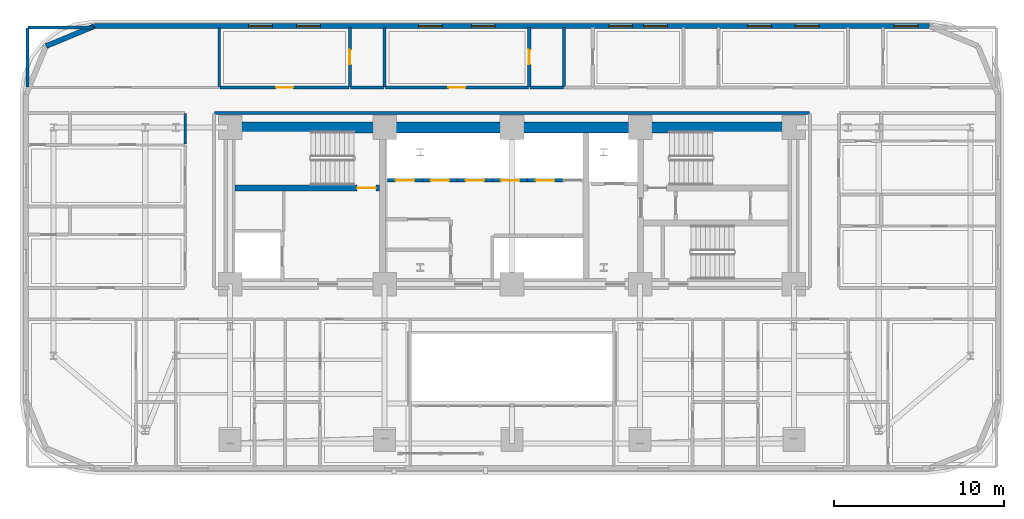
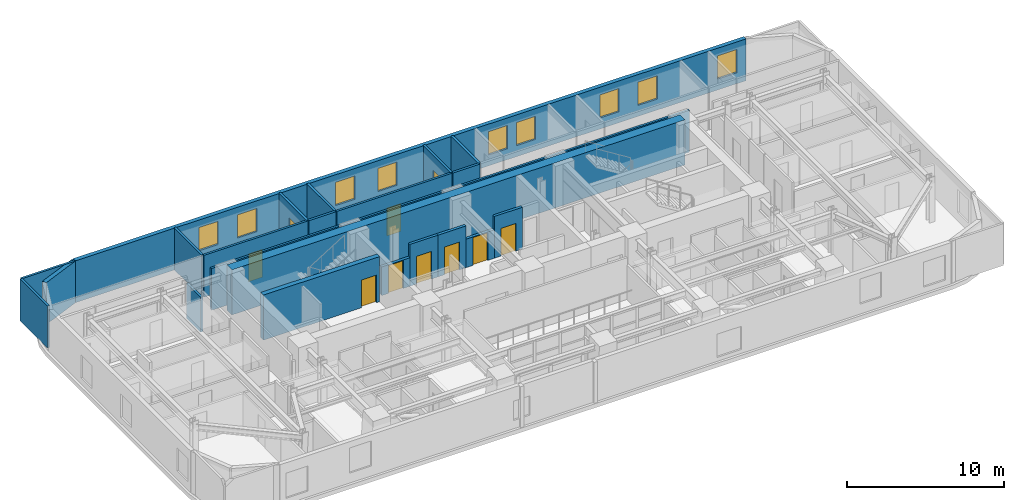
# One storey, part 10 of 16: 22 walls, 10 doors, 9 windows, 19 openings.
"""IFC4 building model written with IfcOpenShell, lengths in metres."""

from ifc_helpers import new_model, si_unit, direction, frame, frame_2d, origin, place, context, subcontext, project, spatial, rectangle, extrude, material, layer, layer_set, type_object, element, fill, save


model = new_model("IFC4")

# Units and contexts
model_context = context("Model", 3, precision=1e-05, world=origin(), true_north=direction((0.0, 1.0)))
body_context = subcontext(model_context, "Body", "Model", "MODEL_VIEW")
ifc_project = project(units=[si_unit("LENGTHUNIT", "METRE"), si_unit("AREAUNIT", "SQUARE_METRE"), si_unit("VOLUMEUNIT", "CUBIC_METRE"), si_unit("PLANEANGLEUNIT", "RADIAN"), si_unit("MASSUNIT", "GRAM", prefix="KILO")], contexts=[model_context])

# Site, building, storey
site_placement = place(None, origin())
site = spatial("IfcSite", under=ifc_project, at=site_placement, CompositionType="ELEMENT")
building_placement = place(site_placement, origin())
building = spatial("IfcBuilding", under=site, at=building_placement, Name="Zarnavel Station Tower", CompositionType="ELEMENT")
storey_placement = place(building_placement, frame((0.0, 0.0, 82.800048828125)))
storey = spatial("IfcBuildingStorey", under=building, at=storey_placement, Name="L22", CompositionType="ELEMENT", Elevation=82.800048828125)

# Wall, opening, door
ifc_material_1 = material(Name="Concrete C50/60", Category="concrete")
ifc_layer_1 = layer(ifc_material_1, 0.35009765625)
ifc_layer_set_1 = layer_set([ifc_layer_1], Name="CW_350")
wall_type_1 = type_object("IfcWallType", Name="CW_350", PredefinedType="SHEAR", material=ifc_layer_set_1)
wall_1_placement = place(storey_placement, frame((21.0048828125, 33.47998046875, 0.0), z_axis=(0.0, 0.0, 1.0), x_axis=(-1.0, 0.0, 0.0)))
wall_1 = element("IfcWall", 1, at=wall_1_placement, inside=storey, type_object=wall_type_1, Name="L22 Rear Core Shear Wall DIV-H1", PredefinedType="SHEAR", context=body_context, shape_type="SweptSolid", body=[
    extrude(rectangle(XDim=8.52978515625, YDim=0.35009765625, at=frame_2d((4.264892578125, 0.0))), origin(), (0.0, 0.0, 1.0), 3.5),
])
opening_1_placement = place(wall_1_placement, frame((0.219970703125, 0.0, 0.0)))
opening_1 = element("IfcOpeningElement", 2, at=opening_1_placement, cuts=wall_1, Name="Opening FD01", PredefinedType="OPENING", context=body_context, shape_type="SweptSolid", body=[
    extrude(rectangle(XDim=1.10009765625, YDim=2.14990234375, at=frame_2d((0.550048828125, 1.074951171875))), frame((0.0, 0.18505859375, 0.0), z_axis=(0.0, -1.0, 0.0), x_axis=(1.0, 0.0, 0.0)), (0.0, 0.0, 1.0), 0.3701171875),
])
ifc_material_2 = material(Name="Painted Galvanised Steel and Hardwood Leaf", Category="steel")
door_type_1 = type_object("IfcDoorType", Name="ID_STAIR_1100", OperationType="NOTDEFINED", PredefinedType="DOOR", material=ifc_material_2)
door_1_placement = place(opening_1_placement, origin())
door_1 = element("IfcDoor", 3, at=door_1_placement, inside=storey, type_object=door_type_1, Name="L22 Stair ST1 Lobby Fire Door", OperationType="SINGLE_SWING_LEFT", OverallHeight=2.14990234375, OverallWidth=1.10009765625, PredefinedType="DOOR", context=body_context, shape_type="SweptSolid", body=[
    extrude(rectangle(XDim=1.10009765625, YDim=2.14990234375, at=frame_2d((0.550048828125, 1.074951171875))), frame((0.0, 0.02490234375, 0.0), z_axis=(0.0, -1.0, 0.0), x_axis=(1.0, 0.0, 0.0)), (0.0, 0.0, 1.0), 0.050048828125),
])
fill(opening_1, door_1)

# Wall
ifc_material_3 = material(Name="Concrete C60/75", Category="concrete")
ifc_layer_2 = layer(ifc_material_3, 0.64990234375)
ifc_layer_set_2 = layer_set([ifc_layer_2], Name="CW_650")
wall_type_2 = type_object("IfcWallType", Name="CW_650", PredefinedType="SHEAR", material=ifc_layer_set_2)
wall_2_placement = place(storey_placement, frame((12.14990234375, 37.050048828125, 0.0), z_axis=(0.0, 0.0, 1.0), x_axis=(1.0, 0.0, 0.0)))
element("IfcWall", 4, at=wall_2_placement, inside=storey, type_object=wall_type_2, Name="L22 Rear Core Shear Wall N", PredefinedType="SHEAR", context=body_context, shape_type="SweptSolid", body=[
    extrude(rectangle(XDim=33.22998046875, YDim=0.64990234375, at=frame_2d((16.614990234375, 0.0))), origin(), (0.0, 0.0, 1.0), 3.5),
])

# Wall, openings, windows
ifc_material_4 = material(Name="Precast concrete C45/55 (Dark Basalt Finish)", Category="masonry")
ifc_layer_3 = layer(ifc_material_4, 0.300048828125)
ifc_layer_set_3 = layer_set([ifc_layer_3], Name="EW_BASALT_300")
wall_type_3 = type_object("IfcWallType", Name="EW_BASALT_300", PredefinedType="SOLIDWALL", material=ifc_layer_set_3)
wall_3_placement = place(storey_placement, frame((4.199951171875, 43.02001953125, 0.0), z_axis=(0.0, 0.0, 1.0), x_axis=(1.0, 0.0, 0.0)))
wall_3 = element("IfcWall", 5, at=wall_3_placement, inside=storey, type_object=wall_type_3, Name="L22 Exterior Basalt Masonry Frame Wall 06", PredefinedType="SOLIDWALL", context=body_context, shape_type="SweptSolid", body=[
    extrude(rectangle(XDim=49.199951171875, YDim=0.300048828125, at=frame_2d((24.60009765625, 0.0))), origin(), (0.0, 0.0, 1.0), 3.239990234375),
])
opening_2_placement = place(wall_3_placement, frame((9.090087890625, 0.0, 0.85009765625)))
opening_2 = element("IfcOpeningElement", 6, at=opening_2_placement, cuts=wall_3, Name="Opening WN01", PredefinedType="OPENING", context=body_context, shape_type="SweptSolid", body=[
    extrude(rectangle(XDim=1.39990234375, YDim=1.800048828125, at=frame_2d((0.699951171875, 0.89990234375))), frame((0.0, 0.159912109375, 0.0), z_axis=(0.0, -1.0, 0.0), x_axis=(1.0, 0.0, 0.0)), (0.0, 0.0, 1.0), 0.320068359375),
])
opening_3_placement = place(wall_3_placement, frame((11.919921875, 0.0, 0.85009765625)))
opening_3 = element("IfcOpeningElement", 7, at=opening_3_placement, cuts=wall_3, Name="Opening WN01", PredefinedType="OPENING", context=body_context, shape_type="SweptSolid", body=[
    extrude(rectangle(XDim=1.39990234375, YDim=1.800048828125, at=frame_2d((0.699951171875, 0.89990234375))), frame((0.0, 0.159912109375, 0.0), z_axis=(0.0, -1.0, 0.0), x_axis=(1.0, 0.0, 0.0)), (0.0, 0.0, 1.0), 0.320068359375),
])
opening_4_placement = place(wall_3_placement, frame((19.10498046875, 0.0, 0.85009765625)))
opening_4 = element("IfcOpeningElement", 8, at=opening_4_placement, cuts=wall_3, Name="Opening WN01", PredefinedType="OPENING", context=body_context, shape_type="SweptSolid", body=[
    extrude(rectangle(XDim=1.39990234375, YDim=1.800048828125, at=frame_2d((0.699951171875, 0.89990234375))), frame((0.0, 0.159912109375, 0.0), z_axis=(0.0, -1.0, 0.0), x_axis=(1.0, 0.0, 0.0)), (0.0, 0.0, 1.0), 0.320068359375),
])
opening_5_placement = place(wall_3_placement, frame((22.2099609375, 0.0, 0.85009765625)))
opening_5 = element("IfcOpeningElement", 9, at=opening_5_placement, cuts=wall_3, Name="Opening WN01", PredefinedType="OPENING", context=body_context, shape_type="SweptSolid", body=[
    extrude(rectangle(XDim=1.39990234375, YDim=1.800048828125, at=frame_2d((0.699951171875, 0.89990234375))), frame((0.0, 0.159912109375, 0.0), z_axis=(0.0, -1.0, 0.0), x_axis=(1.0, 0.0, 0.0)), (0.0, 0.0, 1.0), 0.320068359375),
])
opening_6_placement = place(wall_3_placement, frame((30.305908203125, 0.0, 0.85009765625)))
opening_6 = element("IfcOpeningElement", 10, at=opening_6_placement, cuts=wall_3, Name="Opening WN01", PredefinedType="OPENING", context=body_context, shape_type="SweptSolid", body=[
    extrude(rectangle(XDim=1.39990234375, YDim=1.800048828125, at=frame_2d((0.699951171875, 0.89990234375))), frame((0.0, 0.159912109375, 0.0), z_axis=(0.0, -1.0, 0.0), x_axis=(1.0, 0.0, 0.0)), (0.0, 0.0, 1.0), 0.320068359375),
])
opening_7_placement = place(wall_3_placement, frame((32.35693359375, 0.0, 0.85009765625)))
opening_7 = element("IfcOpeningElement", 11, at=opening_7_placement, cuts=wall_3, Name="Opening WN01", PredefinedType="OPENING", context=body_context, shape_type="SweptSolid", body=[
    extrude(rectangle(XDim=1.39990234375, YDim=1.800048828125, at=frame_2d((0.699951171875, 0.89990234375))), frame((0.0, 0.159912109375, 0.0), z_axis=(0.0, -1.0, 0.0), x_axis=(1.0, 0.0, 0.0)), (0.0, 0.0, 1.0), 0.320068359375),
])
opening_8_placement = place(wall_3_placement, frame((38.471923828125, 0.0, 0.85009765625)))
opening_8 = element("IfcOpeningElement", 12, at=opening_8_placement, cuts=wall_3, Name="Opening WN01", PredefinedType="OPENING", context=body_context, shape_type="SweptSolid", body=[
    extrude(rectangle(XDim=1.39990234375, YDim=1.800048828125, at=frame_2d((0.699951171875, 0.89990234375))), frame((0.0, 0.159912109375, 0.0), z_axis=(0.0, -1.0, 0.0), x_axis=(1.0, 0.0, 0.0)), (0.0, 0.0, 1.0), 0.320068359375),
])
opening_9_placement = place(wall_3_placement, frame((41.285888671875, 0.0, 0.85009765625)))
opening_9 = element("IfcOpeningElement", 13, at=opening_9_placement, cuts=wall_3, Name="Opening WN01", PredefinedType="OPENING", context=body_context, shape_type="SweptSolid", body=[
    extrude(rectangle(XDim=1.39990234375, YDim=1.800048828125, at=frame_2d((0.699951171875, 0.89990234375))), frame((0.0, 0.159912109375, 0.0), z_axis=(0.0, -1.0, 0.0), x_axis=(1.0, 0.0, 0.0)), (0.0, 0.0, 1.0), 0.320068359375),
])
opening_10_placement = place(wall_3_placement, frame((47.114990234375, 0.0, 0.85009765625)))
opening_10 = element("IfcOpeningElement", 14, at=opening_10_placement, cuts=wall_3, Name="Opening WN01", PredefinedType="OPENING", context=body_context, shape_type="SweptSolid", body=[
    extrude(rectangle(XDim=1.39990234375, YDim=1.800048828125, at=frame_2d((0.699951171875, 0.89990234375))), frame((0.0, 0.159912109375, 0.0), z_axis=(0.0, -1.0, 0.0), x_axis=(1.0, 0.0, 0.0)), (0.0, 0.0, 1.0), 0.320068359375),
])
ifc_material_5 = material(Name="Thermally Broken Black Aluminium and Low-E Dark Glass", Category="aluminium")
window_type = type_object("IfcWindowType", Name="WN_1400x1800", PartitioningType="DOUBLE_PANEL_VERTICAL", PredefinedType="WINDOW", material=ifc_material_5)
window_1_placement = place(opening_2_placement, origin())
window_1 = element("IfcWindow", 15, at=window_1_placement, inside=storey, type_object=window_type, Name="L22 Recessed Facade Window 01", OverallHeight=1.800048828125, OverallWidth=1.39990234375, PartitioningType="SINGLE_PANEL", PredefinedType="WINDOW", context=body_context, shape_type="SweptSolid", body=[
    extrude(rectangle(XDim=1.39990234375, YDim=1.800048828125, at=frame_2d((0.699951171875, 0.89990234375))), frame((0.0, 0.030029296875, 0.0), z_axis=(0.0, -1.0, 0.0), x_axis=(1.0, 0.0, 0.0)), (0.0, 0.0, 1.0), 0.06005859375),
])
fill(opening_2, window_1)
window_2_placement = place(opening_3_placement, origin())
window_2 = element("IfcWindow", 16, at=window_2_placement, inside=storey, type_object=window_type, Name="L22 Recessed Facade Window 02", OverallHeight=1.800048828125, OverallWidth=1.39990234375, PartitioningType="SINGLE_PANEL", PredefinedType="WINDOW", context=body_context, shape_type="SweptSolid", body=[
    extrude(rectangle(XDim=1.39990234375, YDim=1.800048828125, at=frame_2d((0.699951171875, 0.89990234375))), frame((0.0, 0.030029296875, 0.0), z_axis=(0.0, -1.0, 0.0), x_axis=(1.0, 0.0, 0.0)), (0.0, 0.0, 1.0), 0.06005859375),
])
fill(opening_3, window_2)
window_3_placement = place(opening_4_placement, origin())
window_3 = element("IfcWindow", 17, at=window_3_placement, inside=storey, type_object=window_type, Name="L22 Recessed Facade Window 03", OverallHeight=1.800048828125, OverallWidth=1.39990234375, PartitioningType="SINGLE_PANEL", PredefinedType="WINDOW", context=body_context, shape_type="SweptSolid", body=[
    extrude(rectangle(XDim=1.39990234375, YDim=1.800048828125, at=frame_2d((0.699951171875, 0.89990234375))), frame((0.0, 0.030029296875, 0.0), z_axis=(0.0, -1.0, 0.0), x_axis=(1.0, 0.0, 0.0)), (0.0, 0.0, 1.0), 0.06005859375),
])
fill(opening_4, window_3)
window_4_placement = place(opening_5_placement, origin())
window_4 = element("IfcWindow", 18, at=window_4_placement, inside=storey, type_object=window_type, Name="L22 Recessed Facade Window 04", OverallHeight=1.800048828125, OverallWidth=1.39990234375, PartitioningType="SINGLE_PANEL", PredefinedType="WINDOW", context=body_context, shape_type="SweptSolid", body=[
    extrude(rectangle(XDim=1.39990234375, YDim=1.800048828125, at=frame_2d((0.699951171875, 0.89990234375))), frame((0.0, 0.030029296875, 0.0), z_axis=(0.0, -1.0, 0.0), x_axis=(1.0, 0.0, 0.0)), (0.0, 0.0, 1.0), 0.06005859375),
])
fill(opening_5, window_4)
window_5_placement = place(opening_6_placement, origin())
window_5 = element("IfcWindow", 19, at=window_5_placement, inside=storey, type_object=window_type, Name="L22 Recessed Facade Window 05", OverallHeight=1.800048828125, OverallWidth=1.39990234375, PartitioningType="SINGLE_PANEL", PredefinedType="WINDOW", context=body_context, shape_type="SweptSolid", body=[
    extrude(rectangle(XDim=1.39990234375, YDim=1.800048828125, at=frame_2d((0.699951171875, 0.89990234375))), frame((0.0, 0.030029296875, 0.0), z_axis=(0.0, -1.0, 0.0), x_axis=(1.0, 0.0, 0.0)), (0.0, 0.0, 1.0), 0.06005859375),
])
fill(opening_6, window_5)
window_6_placement = place(opening_7_placement, origin())
window_6 = element("IfcWindow", 20, at=window_6_placement, inside=storey, type_object=window_type, Name="L22 Recessed Facade Window 06", OverallHeight=1.800048828125, OverallWidth=1.39990234375, PartitioningType="SINGLE_PANEL", PredefinedType="WINDOW", context=body_context, shape_type="SweptSolid", body=[
    extrude(rectangle(XDim=1.39990234375, YDim=1.800048828125, at=frame_2d((0.699951171875, 0.89990234375))), frame((0.0, 0.030029296875, 0.0), z_axis=(0.0, -1.0, 0.0), x_axis=(1.0, 0.0, 0.0)), (0.0, 0.0, 1.0), 0.06005859375),
])
fill(opening_7, window_6)
window_7_placement = place(opening_8_placement, origin())
window_7 = element("IfcWindow", 21, at=window_7_placement, inside=storey, type_object=window_type, Name="L22 Recessed Facade Window 07", OverallHeight=1.800048828125, OverallWidth=1.39990234375, PartitioningType="SINGLE_PANEL", PredefinedType="WINDOW", context=body_context, shape_type="SweptSolid", body=[
    extrude(rectangle(XDim=1.39990234375, YDim=1.800048828125, at=frame_2d((0.699951171875, 0.89990234375))), frame((0.0, 0.030029296875, 0.0), z_axis=(0.0, -1.0, 0.0), x_axis=(1.0, 0.0, 0.0)), (0.0, 0.0, 1.0), 0.06005859375),
])
fill(opening_8, window_7)
window_8_placement = place(opening_9_placement, origin())
window_8 = element("IfcWindow", 22, at=window_8_placement, inside=storey, type_object=window_type, Name="L22 Recessed Facade Window 08", OverallHeight=1.800048828125, OverallWidth=1.39990234375, PartitioningType="SINGLE_PANEL", PredefinedType="WINDOW", context=body_context, shape_type="SweptSolid", body=[
    extrude(rectangle(XDim=1.39990234375, YDim=1.800048828125, at=frame_2d((0.699951171875, 0.89990234375))), frame((0.0, 0.030029296875, 0.0), z_axis=(0.0, -1.0, 0.0), x_axis=(1.0, 0.0, 0.0)), (0.0, 0.0, 1.0), 0.06005859375),
])
fill(opening_9, window_8)
window_9_placement = place(opening_10_placement, origin())
window_9 = element("IfcWindow", 23, at=window_9_placement, inside=storey, type_object=window_type, Name="L22 Recessed Facade Window 09", OverallHeight=1.800048828125, OverallWidth=1.39990234375, PartitioningType="SINGLE_PANEL", PredefinedType="WINDOW", context=body_context, shape_type="SweptSolid", body=[
    extrude(rectangle(XDim=1.39990234375, YDim=1.800048828125, at=frame_2d((0.699951171875, 0.89990234375))), frame((0.0, 0.030029296875, 0.0), z_axis=(0.0, -1.0, 0.0), x_axis=(1.0, 0.0, 0.0)), (0.0, 0.0, 1.0), 0.06005859375),
])
fill(opening_10, window_9)

# Walls
wall_4_placement = place(storey_placement, frame((1.357421875, 41.842529296875, 0.0), z_axis=(0.0, 0.0, 1.0), x_axis=(0.923870793506, 0.382704529509, 0.0)))
element("IfcWall", 24, at=wall_4_placement, inside=storey, type_object=wall_type_3, Name="L22 Exterior Basalt Masonry Frame Wall 07", PredefinedType="SOLIDWALL", context=body_context, shape_type="SweptSolid", body=[
    extrude(rectangle(XDim=3.07666015625, YDim=0.300048828125, at=frame_2d((1.538330078125, 0.0))), origin(), (0.0, 0.0, 1.0), 3.239990234375),
])
ifc_material_6 = material(Name="Gypsum Twin-Stud Acoustic Fire Partition", Category="concrete")
ifc_layer_4 = layer(ifc_material_6, 0.159912109375)
ifc_layer_set_4 = layer_set([ifc_layer_4], Name="PT_DEMISE_160")
wall_type_4 = type_object("IfcWallType", Name="PT_DEMISE_160", PredefinedType="PARTITIONING", material=ifc_layer_set_4)
wall_5_placement = place(storey_placement, frame((9.550048828125, 36.06689453125, 0.0), z_axis=(0.0, 0.0, 1.0), x_axis=(0.0, 1.0, 0.0)))
element("IfcWall", 25, at=wall_5_placement, inside=storey, type_object=wall_type_4, Name="L22 Partition COR-W-FNW2S", PredefinedType="PARTITIONING", context=body_context, shape_type="SweptSolid", body=[
    extrude(rectangle(XDim=1.793212890625, YDim=0.159912109375, at=frame_2d((0.896484375, 0.0))), origin(), (0.0, 0.0, 1.0), 2.719970703125),
])

# Wall, opening, door
wall_6_placement = place(storey_placement, frame((11.60009765625, 39.39990234375, 0.0), z_axis=(0.0, 0.0, 1.0), x_axis=(1.0, 0.0, 0.0)))
wall_6 = element("IfcWall", 26, at=wall_6_placement, inside=storey, type_object=wall_type_4, Name="L22 Partition COR-N-HN1R", PredefinedType="PARTITIONING", context=body_context, shape_type="SweptSolid", body=[
    extrude(rectangle(XDim=7.60986328125, YDim=0.159912109375, at=frame_2d((3.804931640625, 0.0))), origin(), (0.0, 0.0, 1.0), 3.239990234375),
])
opening_11_placement = place(wall_6_placement, frame((3.304931640625, 0.0, 0.0)))
opening_11 = element("IfcOpeningElement", 27, at=opening_11_placement, cuts=wall_6, Name="Opening FD02", PredefinedType="OPENING", context=body_context, shape_type="SweptSolid", body=[
    extrude(rectangle(XDim=1.0, YDim=2.14990234375, at=frame_2d((0.5, 1.074951171875))), frame((0.0, 0.08984375, 0.0), z_axis=(0.0, -1.0, 0.0), x_axis=(1.0, 0.0, 0.0)), (0.0, 0.0, 1.0), 0.179931640625),
])
ifc_material_7 = material(Name="Painted Galvanised Steel and Hardwood Leaf", Category="steel")
door_type_2 = type_object("IfcDoorType", Name="ID_ENTRY_1000", OperationType="NOTDEFINED", PredefinedType="DOOR", material=ifc_material_7)
door_2_placement = place(opening_11_placement, origin())
door_2 = element("IfcDoor", 28, at=door_2_placement, inside=storey, type_object=door_type_2, Name="L22 Door COR-N-HN1R", OperationType="SINGLE_SWING_RIGHT", OverallHeight=2.14990234375, OverallWidth=1.0, PredefinedType="DOOR", context=body_context, shape_type="SweptSolid", body=[
    extrude(rectangle(XDim=1.0, YDim=2.14990234375, at=frame_2d((0.5, 1.074951171875))), frame((0.0, 0.02490234375, 0.0), z_axis=(0.0, -1.0, 0.0), x_axis=(1.0, 0.0, 0.0)), (0.0, 0.0, 1.0), 0.050048828125),
])
fill(opening_11, door_2)

wall_7_placement = place(storey_placement, frame((21.340087890625, 39.39990234375, 0.0), z_axis=(0.0, 0.0, 1.0), x_axis=(1.0, 0.0, 0.0)))
wall_7 = element("IfcWall", 29, at=wall_7_placement, inside=storey, type_object=wall_type_4, Name="L22 Partition COR-N-HN2R", PredefinedType="PARTITIONING", context=body_context, shape_type="SweptSolid", body=[
    extrude(rectangle(XDim=8.434814453125, YDim=0.159912109375, at=frame_2d((4.21728515625, 0.0))), origin(), (0.0, 0.0, 1.0), 3.239990234375),
])
opening_12_placement = place(wall_7_placement, frame((3.717529296875, 0.0, 0.0)))
opening_12 = element("IfcOpeningElement", 30, at=opening_12_placement, cuts=wall_7, Name="Opening FD02", PredefinedType="OPENING", context=body_context, shape_type="SweptSolid", body=[
    extrude(rectangle(XDim=1.0, YDim=2.14990234375, at=frame_2d((0.5, 1.074951171875))), frame((0.0, 0.08984375, 0.0), z_axis=(0.0, -1.0, 0.0), x_axis=(1.0, 0.0, 0.0)), (0.0, 0.0, 1.0), 0.179931640625),
])
door_3_placement = place(opening_12_placement, origin())
door_3 = element("IfcDoor", 31, at=door_3_placement, inside=storey, type_object=door_type_2, Name="L22 Door COR-N-HN2R", OperationType="SINGLE_SWING_LEFT", OverallHeight=2.14990234375, OverallWidth=1.0, PredefinedType="DOOR", context=body_context, shape_type="SweptSolid", body=[
    extrude(rectangle(XDim=1.0, YDim=2.14990234375, at=frame_2d((0.5, 1.074951171875))), frame((0.0, 0.02490234375, 0.0), z_axis=(0.0, -1.0, 0.0), x_axis=(1.0, 0.0, 0.0)), (0.0, 0.0, 1.0), 0.050048828125),
])
fill(opening_12, door_3)

# Walls
wall_8_placement = place(storey_placement, frame((11.56005859375, 39.43994140625, 0.0), z_axis=(0.0, 0.0, 1.0), x_axis=(0.0, 1.0, 0.0)))
element("IfcWall", 32, at=wall_8_placement, inside=storey, type_object=wall_type_4, Name="L22 Partition HSKP-HN1R", PredefinedType="PARTITIONING", context=body_context, shape_type="SweptSolid", body=[
    extrude(rectangle(XDim=3.5, YDim=0.159912109375, at=frame_2d((1.75, 0.0))), origin(), (0.0, 0.0, 1.0), 3.239990234375),
])
wall_9_placement = place(storey_placement, frame((11.280029296875, 37.89990234375, 0.0), z_axis=(0.0, 0.0, 1.0), x_axis=(1.0, 0.0, 0.0)))
element("IfcWall", 33, at=wall_9_placement, inside=storey, type_object=wall_type_4, Name="L22 Enclosure Wall COR-N", PredefinedType="PARTITIONING", context=body_context, shape_type="SweptSolid", body=[
    extrude(rectangle(XDim=35.0400390625, YDim=0.159912109375, at=frame_2d((17.52001953125, 0.0))), origin(), (0.0, 0.0, 1.0), 3.239990234375),
])
wall_10_placement = place(storey_placement, frame((0.2900390625, 42.93994140625, 0.0), z_axis=(0.0, 0.0, 1.0), x_axis=(1.0, 0.0, 0.0)))
element("IfcWall", 34, at=wall_10_placement, inside=storey, type_object=wall_type_4, Name="L22 Enclosure Wall HSKP", PredefinedType="PARTITIONING", context=body_context, shape_type="SweptSolid", body=[
    extrude(rectangle(XDim=3.8798828125, YDim=0.159912109375, at=frame_2d((1.93994140625, 0.0))), origin(), (0.0, 0.0, 1.0), 3.239990234375),
])
wall_11_placement = place(storey_placement, frame((0.260009765625, 39.429931640625, 0.0), z_axis=(0.0, 0.0, 1.0), x_axis=(0.0, 1.0, 0.0)))
element("IfcWall", 35, at=wall_11_placement, inside=storey, type_object=wall_type_4, Name="L22 Enclosure Wall HSKP", PredefinedType="PARTITIONING", context=body_context, shape_type="SweptSolid", body=[
    extrude(rectangle(XDim=3.47998046875, YDim=0.159912109375, at=frame_2d((1.739990234375, 0.0))), origin(), (0.0, 0.0, 1.0), 3.239990234375),
])

# Wall, opening, door
ifc_material_8 = material(Name="Precast concrete C45/55 (Fire Shaft Blockwork)", Category="masonry")
ifc_layer_5 = layer(ifc_material_8, 0.199951171875)
ifc_layer_set_5 = layer_set([ifc_layer_5], Name="PT_SHAFT_200")
wall_type_5 = type_object("IfcWallType", Name="PT_SHAFT_200", PredefinedType="PARTITIONING", material=ifc_layer_set_5)
wall_12_placement = place(storey_placement, frame((21.4599609375, 33.929931640625, 0.0), z_axis=(0.0, 0.0, 1.0), x_axis=(1.0, 0.0, 0.0)))
wall_12 = element("IfcWall", 36, at=wall_12_placement, inside=storey, type_object=wall_type_5, Name="L22 Lift PL-L1 Shaft Front Wall", PredefinedType="PARTITIONING", context=body_context, shape_type="SweptSolid", body=[
    extrude(rectangle(XDim=2.06494140625, YDim=0.199951171875, at=frame_2d((1.032470703125, 0.0))), origin(), (0.0, 0.0, 1.0), 2.2119140625),
])
opening_13_placement = place(wall_12_placement, frame((0.482421875, 0.0, 0.0)))
opening_13 = element("IfcOpeningElement", 37, at=opening_13_placement, cuts=wall_12, Name="Opening LD02", PredefinedType="OPENING", context=body_context, shape_type="SweptSolid", body=[
    extrude(rectangle(XDim=1.10009765625, YDim=2.14990234375, at=frame_2d((0.550048828125, 1.074951171875))), frame((0.0, 0.10986328125, 0.0), z_axis=(0.0, -1.0, 0.0), x_axis=(1.0, 0.0, 0.0)), (0.0, 0.0, 1.0), 0.219970703125),
])
ifc_material_9 = material(Name="Painted Galvanised Steel and Hardwood Leaf", Category="steel")
door_type_3 = type_object("IfcDoorType", Name="LD_PAX_1100", OperationType="DOUBLE_DOOR_SLIDING", PredefinedType="DOOR", material=ifc_material_9)
door_4_placement = place(opening_13_placement, origin())
door_4 = element("IfcDoor", 38, at=door_4_placement, inside=storey, type_object=door_type_3, Name="L22 Lift PL-L1 Sliding Landing Door", OperationType="DOUBLE_DOOR_SLIDING", OverallHeight=2.14990234375, OverallWidth=1.10009765625, PredefinedType="DOOR", context=body_context, shape_type="SweptSolid", body=[
    extrude(rectangle(XDim=1.10009765625, YDim=2.14990234375, at=frame_2d((0.550048828125, 1.074951171875))), frame((0.0, 0.02490234375, 0.0), z_axis=(0.0, -1.0, 0.0), x_axis=(1.0, 0.0, 0.0)), (0.0, 0.0, 1.0), 0.050048828125),
])
fill(opening_13, door_4)

wall_13_placement = place(storey_placement, frame((23.52490234375, 33.929931640625, 0.0), z_axis=(0.0, 0.0, 1.0), x_axis=(1.0, 0.0, 0.0)))
wall_13 = element("IfcWall", 39, at=wall_13_placement, inside=storey, type_object=wall_type_5, Name="L22 Lift PL-L2 Shaft Front Wall", PredefinedType="PARTITIONING", context=body_context, shape_type="SweptSolid", body=[
    extrude(rectangle(XDim=2.050048828125, YDim=0.199951171875, at=frame_2d((1.02490234375, 0.0))), origin(), (0.0, 0.0, 1.0), 3.239990234375),
])
opening_14_placement = place(wall_13_placement, frame((0.47509765625, 0.0, 0.0)))
opening_14 = element("IfcOpeningElement", 40, at=opening_14_placement, cuts=wall_13, Name="Opening LD02", PredefinedType="OPENING", context=body_context, shape_type="SweptSolid", body=[
    extrude(rectangle(XDim=1.10009765625, YDim=2.14990234375, at=frame_2d((0.550048828125, 1.074951171875))), frame((0.0, 0.10986328125, 0.0), z_axis=(0.0, -1.0, 0.0), x_axis=(1.0, 0.0, 0.0)), (0.0, 0.0, 1.0), 0.219970703125),
])
door_5_placement = place(opening_14_placement, origin())
door_5 = element("IfcDoor", 41, at=door_5_placement, inside=storey, type_object=door_type_3, Name="L22 Lift PL-L2 Sliding Landing Door", OperationType="DOUBLE_DOOR_SLIDING", OverallHeight=2.14990234375, OverallWidth=1.10009765625, PredefinedType="DOOR", context=body_context, shape_type="SweptSolid", body=[
    extrude(rectangle(XDim=1.10009765625, YDim=2.14990234375, at=frame_2d((0.550048828125, 1.074951171875))), frame((0.0, 0.02490234375, 0.0), z_axis=(0.0, -1.0, 0.0), x_axis=(1.0, 0.0, 0.0)), (0.0, 0.0, 1.0), 0.050048828125),
])
fill(opening_14, door_5)

wall_14_placement = place(storey_placement, frame((25.574951171875, 33.929931640625, 0.0), z_axis=(0.0, 0.0, 1.0), x_axis=(1.0, 0.0, 0.0)))
wall_14 = element("IfcWall", 42, at=wall_14_placement, inside=storey, type_object=wall_type_5, Name="L22 Lift PL-L3 Shaft Front Wall", PredefinedType="PARTITIONING", context=body_context, shape_type="SweptSolid", body=[
    extrude(rectangle(XDim=2.074951171875, YDim=0.199951171875, at=frame_2d((1.03759765625, 0.0))), origin(), (0.0, 0.0, 1.0), 3.239990234375),
])
opening_15_placement = place(wall_14_placement, frame((0.487548828125, 0.0, 0.0)))
opening_15 = element("IfcOpeningElement", 43, at=opening_15_placement, cuts=wall_14, Name="Opening LD02", PredefinedType="OPENING", context=body_context, shape_type="SweptSolid", body=[
    extrude(rectangle(XDim=1.10009765625, YDim=2.14990234375, at=frame_2d((0.550048828125, 1.074951171875))), frame((0.0, 0.10986328125, 0.0), z_axis=(0.0, -1.0, 0.0), x_axis=(1.0, 0.0, 0.0)), (0.0, 0.0, 1.0), 0.219970703125),
])
door_6_placement = place(opening_15_placement, origin())
door_6 = element("IfcDoor", 44, at=door_6_placement, inside=storey, type_object=door_type_3, Name="L22 Lift PL-L3 Sliding Landing Door", OperationType="DOUBLE_DOOR_SLIDING", OverallHeight=2.14990234375, OverallWidth=1.10009765625, PredefinedType="DOOR", context=body_context, shape_type="SweptSolid", body=[
    extrude(rectangle(XDim=1.10009765625, YDim=2.14990234375, at=frame_2d((0.550048828125, 1.074951171875))), frame((0.0, 0.02490234375, 0.0), z_axis=(0.0, -1.0, 0.0), x_axis=(1.0, 0.0, 0.0)), (0.0, 0.0, 1.0), 0.050048828125),
])
fill(opening_15, door_6)

wall_15_placement = place(storey_placement, frame((27.64990234375, 33.929931640625, 0.0), z_axis=(0.0, 0.0, 1.0), x_axis=(1.0, 0.0, 0.0)))
wall_15 = element("IfcWall", 45, at=wall_15_placement, inside=storey, type_object=wall_type_5, Name="L22 Lift PL-M1 Shaft Front Wall", PredefinedType="PARTITIONING", context=body_context, shape_type="SweptSolid", body=[
    extrude(rectangle(XDim=2.0751953125, YDim=0.199951171875, at=frame_2d((1.03759765625, 0.0))), origin(), (0.0, 0.0, 1.0), 2.2119140625),
])
opening_16_placement = place(wall_15_placement, frame((0.487548828125, 0.0, 0.0)))
opening_16 = element("IfcOpeningElement", 46, at=opening_16_placement, cuts=wall_15, Name="Opening LD02", PredefinedType="OPENING", context=body_context, shape_type="SweptSolid", body=[
    extrude(rectangle(XDim=1.10009765625, YDim=2.14990234375, at=frame_2d((0.550048828125, 1.074951171875))), frame((0.0, 0.10986328125, 0.0), z_axis=(0.0, -1.0, 0.0), x_axis=(1.0, 0.0, 0.0)), (0.0, 0.0, 1.0), 0.219970703125),
])
door_7_placement = place(opening_16_placement, origin())
door_7 = element("IfcDoor", 47, at=door_7_placement, inside=storey, type_object=door_type_3, Name="L22 Lift PL-M1 Sliding Landing Door", OperationType="DOUBLE_DOOR_SLIDING", OverallHeight=2.14990234375, OverallWidth=1.10009765625, PredefinedType="DOOR", context=body_context, shape_type="SweptSolid", body=[
    extrude(rectangle(XDim=1.10009765625, YDim=2.14990234375, at=frame_2d((0.550048828125, 1.074951171875))), frame((0.0, 0.02490234375, 0.0), z_axis=(0.0, -1.0, 0.0), x_axis=(1.0, 0.0, 0.0)), (0.0, 0.0, 1.0), 0.050048828125),
])
fill(opening_16, door_7)

wall_16_placement = place(storey_placement, frame((29.72509765625, 33.929931640625, 0.0), z_axis=(0.0, 0.0, 1.0), x_axis=(1.0, 0.0, 0.0)))
wall_16 = element("IfcWall", 48, at=wall_16_placement, inside=storey, type_object=wall_type_5, Name="L22 Lift PL-M2 Shaft Front Wall", PredefinedType="PARTITIONING", context=body_context, shape_type="SweptSolid", body=[
    extrude(rectangle(XDim=2.0498046875, YDim=0.199951171875, at=frame_2d((1.02490234375, 0.0))), origin(), (0.0, 0.0, 1.0), 3.239990234375),
])
opening_17_placement = place(wall_16_placement, frame((0.47509765625, 0.0, 0.0)))
opening_17 = element("IfcOpeningElement", 49, at=opening_17_placement, cuts=wall_16, Name="Opening LD02", PredefinedType="OPENING", context=body_context, shape_type="SweptSolid", body=[
    extrude(rectangle(XDim=1.10009765625, YDim=2.14990234375, at=frame_2d((0.550048828125, 1.074951171875))), frame((0.0, 0.10986328125, 0.0), z_axis=(0.0, -1.0, 0.0), x_axis=(1.0, 0.0, 0.0)), (0.0, 0.0, 1.0), 0.219970703125),
])
door_8_placement = place(opening_17_placement, origin())
door_8 = element("IfcDoor", 50, at=door_8_placement, inside=storey, type_object=door_type_3, Name="L22 Lift PL-M2 Sliding Landing Door", OperationType="DOUBLE_DOOR_SLIDING", OverallHeight=2.14990234375, OverallWidth=1.10009765625, PredefinedType="DOOR", context=body_context, shape_type="SweptSolid", body=[
    extrude(rectangle(XDim=1.10009765625, YDim=2.14990234375, at=frame_2d((0.550048828125, 1.074951171875))), frame((0.0, 0.02490234375, 0.0), z_axis=(0.0, -1.0, 0.0), x_axis=(1.0, 0.0, 0.0)), (0.0, 0.0, 1.0), 0.050048828125),
])
fill(opening_17, door_8)

# Walls
ifc_material_10 = material(Name="Moisture-Resistant Plumbing Chase Wall", Category="concrete")
ifc_layer_6 = layer(ifc_material_10, 0.179931640625)
ifc_layer_set_6 = layer_set([ifc_layer_6], Name="PW_PLUMB_180")
wall_type_6 = type_object("IfcWallType", Name="PW_PLUMB_180", PredefinedType="PLUMBINGWALL", material=ifc_layer_set_6)
for number, where, z_axis, x_axis, name in (
    (51, (19.2900390625, 39.39990234375, 0.0), (0.0, 0.0, 1.0), (1.0, 0.0, 0.0), "L22 Partition COR-N-HN1B"),
    (52, (29.85498046875, 39.39990234375, 0.0), (0.0, 0.0, 1.0), (1.0, 0.0, 0.0), "L22 Partition COR-N-HN2B"),
):
    element("IfcWall", number, at=place(storey_placement, frame(where, z_axis=z_axis, x_axis=x_axis)), inside=storey, type_object=wall_type_6, Name=name, PredefinedType="PLUMBINGWALL", context=body_context, shape_type="SweptSolid", body=[
        extrude(rectangle(XDim=1.969970703125, YDim=0.179931640625, at=frame_2d((0.98486328125, 0.0))), origin(), (0.0, 0.0, 1.0), 3.239990234375),
    ])

# Wall, opening, door
wall_17_placement = place(storey_placement, frame((19.25, 39.43994140625, 0.0), z_axis=(0.0, 0.0, 1.0), x_axis=(0.0, 1.0, 0.0)))
wall_17 = element("IfcWall", 53, at=wall_17_placement, inside=storey, type_object=wall_type_6, Name="L22 Partition HN1R-HN1B", PredefinedType="PLUMBINGWALL", context=body_context, shape_type="SweptSolid", body=[
    extrude(rectangle(XDim=3.5, YDim=0.179931640625, at=frame_2d((1.75, 0.0))), origin(), (0.0, 0.0, 1.0), 3.239990234375),
])
opening_18_placement = place(wall_17_placement, frame((1.324951171875, 0.0, 0.0)))
opening_18 = element("IfcOpeningElement", 54, at=opening_18_placement, cuts=wall_17, Name="Opening ID02", PredefinedType="OPENING", context=body_context, shape_type="SweptSolid", body=[
    extrude(rectangle(XDim=0.85009765625, YDim=2.10009765625, at=frame_2d((0.425048828125, 1.050048828125))), frame((0.0, 0.099853515625, 0.0), z_axis=(0.0, -1.0, 0.0), x_axis=(1.0, 0.0, 0.0)), (0.0, 0.0, 1.0), 0.199951171875),
])
ifc_material_11 = material(Name="Painted Galvanised Steel and Hardwood Leaf", Category="steel")
door_type_4 = type_object("IfcDoorType", Name="ID_BATH_850", OperationType="NOTDEFINED", PredefinedType="DOOR", material=ifc_material_11)
door_9_placement = place(opening_18_placement, origin())
door_9 = element("IfcDoor", 55, at=door_9_placement, inside=storey, type_object=door_type_4, Name="L22 Door HN1R-HN1B", OperationType="SINGLE_SWING_LEFT", OverallHeight=2.10009765625, OverallWidth=0.85009765625, PredefinedType="DOOR", context=body_context, shape_type="SweptSolid", body=[
    extrude(rectangle(XDim=0.85009765625, YDim=2.10009765625, at=frame_2d((0.425048828125, 1.050048828125))), frame((0.0, 0.02490234375, 0.0), z_axis=(0.0, -1.0, 0.0), x_axis=(1.0, 0.0, 0.0)), (0.0, 0.0, 1.0), 0.050048828125),
])
fill(opening_18, door_9)

# Wall
wall_18_placement = place(storey_placement, frame((21.300048828125, 39.43994140625, 0.0), z_axis=(0.0, 0.0, 1.0), x_axis=(0.0, 1.0, 0.0)))
element("IfcWall", 56, at=wall_18_placement, inside=storey, type_object=wall_type_6, Name="L22 Partition HN1B-HN2R", PredefinedType="PLUMBINGWALL", context=body_context, shape_type="SweptSolid", body=[
    extrude(rectangle(XDim=3.5, YDim=0.179931640625, at=frame_2d((1.75, 0.0))), origin(), (0.0, 0.0, 1.0), 3.239990234375),
])

# Wall, opening, door
wall_19_placement = place(storey_placement, frame((29.81494140625, 39.43994140625, 0.0), z_axis=(0.0, 0.0, 1.0), x_axis=(0.0, 1.0, 0.0)))
wall_19 = element("IfcWall", 57, at=wall_19_placement, inside=storey, type_object=wall_type_6, Name="L22 Partition HN2R-HN2B", PredefinedType="PLUMBINGWALL", context=body_context, shape_type="SweptSolid", body=[
    extrude(rectangle(XDim=3.5, YDim=0.179931640625, at=frame_2d((1.75, 0.0))), origin(), (0.0, 0.0, 1.0), 3.239990234375),
])
opening_19_placement = place(wall_19_placement, frame((1.324951171875, 0.0, 0.0)))
opening_19 = element("IfcOpeningElement", 58, at=opening_19_placement, cuts=wall_19, Name="Opening ID02", PredefinedType="OPENING", context=body_context, shape_type="SweptSolid", body=[
    extrude(rectangle(XDim=0.85009765625, YDim=2.10009765625, at=frame_2d((0.425048828125, 1.050048828125))), frame((0.0, 0.099853515625, 0.0), z_axis=(0.0, -1.0, 0.0), x_axis=(1.0, 0.0, 0.0)), (0.0, 0.0, 1.0), 0.199951171875),
])
door_10_placement = place(opening_19_placement, origin())
door_10 = element("IfcDoor", 59, at=door_10_placement, inside=storey, type_object=door_type_4, Name="L22 Door HN2R-HN2B", OperationType="SINGLE_SWING_RIGHT", OverallHeight=2.10009765625, OverallWidth=0.85009765625, PredefinedType="DOOR", context=body_context, shape_type="SweptSolid", body=[
    extrude(rectangle(XDim=0.85009765625, YDim=2.10009765625, at=frame_2d((0.425048828125, 1.050048828125))), frame((0.0, 0.02490234375, 0.0), z_axis=(0.0, -1.0, 0.0), x_axis=(1.0, 0.0, 0.0)), (0.0, 0.0, 1.0), 0.050048828125),
])
fill(opening_19, door_10)

# Wall
wall_20_placement = place(storey_placement, frame((31.864990234375, 39.43994140625, 0.0), z_axis=(0.0, 0.0, 1.0), x_axis=(0.0, 1.0, 0.0)))
element("IfcWall", 60, at=wall_20_placement, inside=storey, type_object=wall_type_6, Name="L22 Partition HN2B-HN3B", PredefinedType="PLUMBINGWALL", context=body_context, shape_type="SweptSolid", body=[
    extrude(rectangle(XDim=3.5, YDim=0.179931640625, at=frame_2d((1.75, 0.0))), origin(), (0.0, 0.0, 1.0), 3.239990234375),
])

save(model, "model.ifc")
